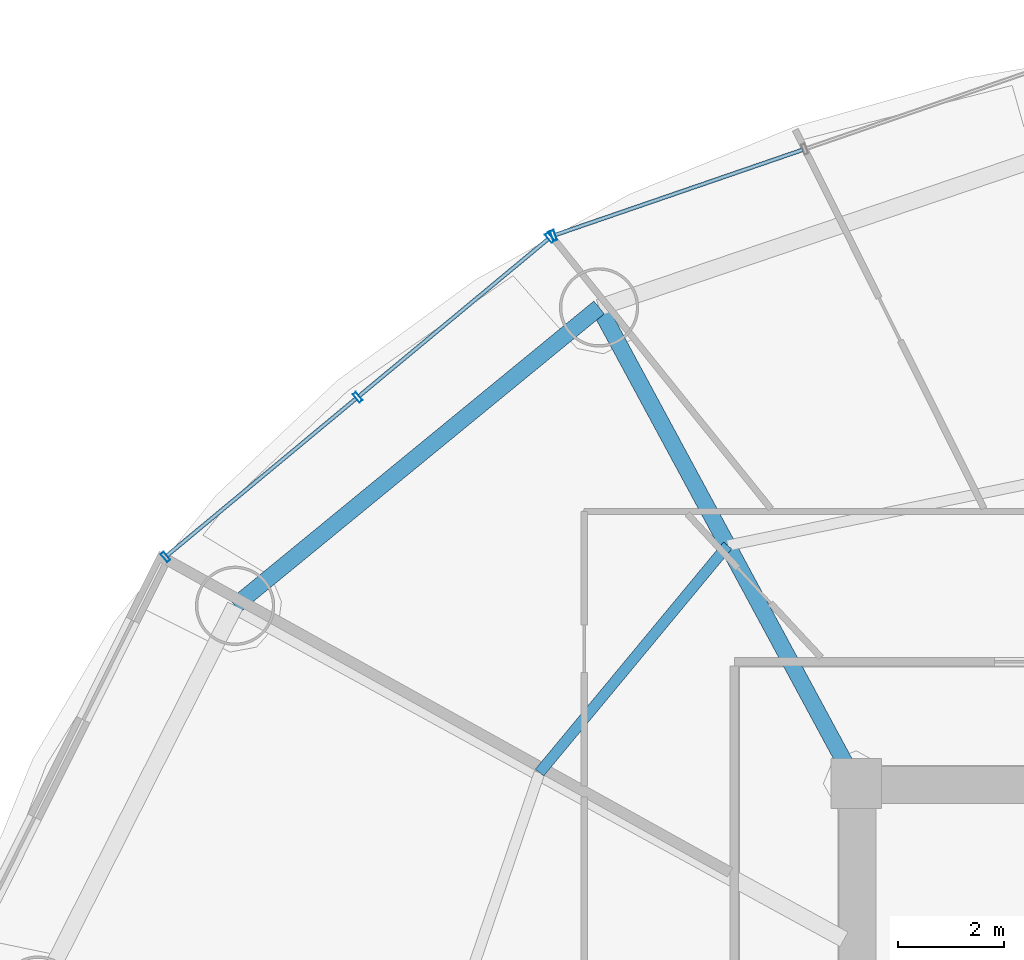
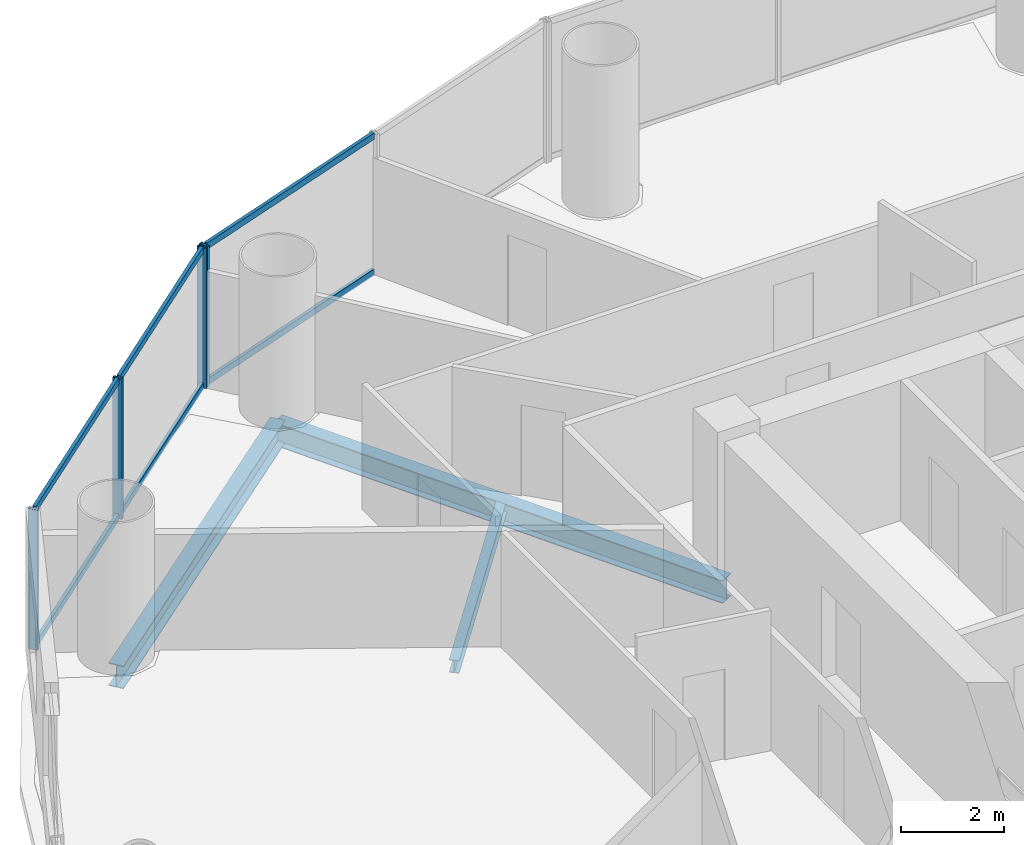
# One storey, part 15 of 28: 10 members, 3 beams, 2 elements without a shape of their own.
"""IFC4 building model written with IfcOpenShell, lengths in metres."""

from ifc_helpers import new_model, si_unit, direction, frame, origin, origin_2d, place, context, subcontext, project, spatial, hollow_rectangle, i_section, extrude, source, transform, mapped, material, material_profile, profile_set, type_object, element, aggregate, save


model = new_model("IFC4")

# Units and contexts
model_context = context("Model", 3, precision=1e-05, world=origin(), true_north=direction((-0.2419218956, 0.970295726276)))
body_context = subcontext(model_context, "Body", "Model", "MODEL_VIEW")
ifc_project = project(units=[si_unit("LENGTHUNIT", "METRE"), si_unit("AREAUNIT", "SQUARE_METRE"), si_unit("VOLUMEUNIT", "CUBIC_METRE"), si_unit("PLANEANGLEUNIT", "RADIAN"), si_unit("MASSUNIT", "GRAM", prefix="KILO")], contexts=[model_context])

# Site, building, storey
site_placement = place(None, origin())
site = spatial("IfcSite", under=ifc_project, at=site_placement, CompositionType="ELEMENT")
building_placement = place(site_placement, origin())
building = spatial("IfcBuilding", under=site, at=building_placement, Name="Cobrevalo Terracotta Tower", CompositionType="ELEMENT")
storey_placement = place(building_placement, frame((0.0, 0.0, 105.0)))
storey = spatial("IfcBuildingStorey", under=building, at=storey_placement, Name="L27", CompositionType="ELEMENT", Elevation=105.0)

# Beams
ifc_material_1 = material(Name="Steel S355", Category="steel")
ifc_material_profile_1 = material_profile(ifc_material_1, i_section(OverallWidth=0.31201171875, OverallDepth=0.54296875, WebThickness=0.0126953125, FlangeThickness=0.020263671875, at=origin_2d()), Name="W 530x150")
ifc_profile_set_1 = profile_set([ifc_material_profile_1], Name="Steel S355")
beam_type_1 = type_object("IfcBeamType", Name="Structural Beam W 530x150 (Steel S355)", PredefinedType="BEAM", material=ifc_profile_set_1)
beam_1_placement = place(storey_placement, frame((24.138427734375, 43.803466796875, -0.54638671875), z_axis=(0.475128224431, -0.879916570107, 0.0), x_axis=(0.879916570107, 0.475128224431, 0.0)))
element("IfcBeam", 1, at=beam_1_placement, inside=storey, type_object=beam_type_1, Name="L27 radial floor girder 06", PredefinedType="BEAM", context=body_context, shape_type="SweptSolid", body=[
    extrude(i_section(OverallWidth=0.31201171875, OverallDepth=0.54296875, WebThickness=0.0126953125, FlangeThickness=0.020263671875, at=origin_2d()), origin(), (0.0, 0.0, 1.0), 10.232177734375),
])
ifc_material_profile_2 = material_profile(ifc_material_1, i_section(OverallWidth=0.2041015625, OverallDepth=0.305908203125, WebThickness=0.008544921875, FlangeThickness=0.0146484375, at=origin_2d()), Name="W 310x67")
ifc_profile_set_2 = profile_set([ifc_material_profile_2], Name="Steel S355")
beam_type_2 = type_object("IfcBeamType", Name="Structural Joist W 310x67 (Steel S355)", PredefinedType="JOIST", material=ifc_profile_set_2)
beam_2_placement = place(storey_placement, frame((26.5693359375, 39.3017578125, -0.427978515625), z_axis=(-0.6379592588, -0.77007011636, 0.0), x_axis=(0.77007011636, -0.6379592588, 0.0)))
element("IfcBeam", 2, at=beam_2_placement, inside=storey, type_object=beam_type_2, Name="L27 circumferential secondary floor joist 06", PredefinedType="JOIST", context=body_context, shape_type="SweptSolid", body=[
    extrude(i_section(OverallWidth=0.2041015625, OverallDepth=0.305908203125, WebThickness=0.008544921875, FlangeThickness=0.0146484375, at=origin_2d()), origin(), (0.0, 0.0, 1.0), 5.575439453125),
])
ifc_material_profile_3 = material_profile(ifc_material_1, i_section(OverallWidth=0.31201171875, OverallDepth=0.54296875, WebThickness=0.0126953125, FlangeThickness=0.020263671875, at=origin_2d()), Name="W 530x150")
ifc_profile_set_3 = profile_set([ifc_material_profile_3], Name="Steel S355")
beam_type_3 = type_object("IfcBeamType", Name="Structural Spandrel W 530x150 (Steel S355)", PredefinedType="SPANDREL", material=ifc_profile_set_3)
beam_3_placement = place(storey_placement, frame((24.138427734375, 43.803466796875, -0.54638671875), z_axis=(-0.773400923541, -0.633917196064, 0.0), x_axis=(0.633917196064, -0.773400923541, 0.0)))
element("IfcBeam", 3, at=beam_3_placement, inside=storey, type_object=beam_type_3, Name="L27 perimeter ring spandrel 06", PredefinedType="SPANDREL", context=body_context, shape_type="SweptSolid", body=[
    extrude(i_section(OverallWidth=0.31201171875, OverallDepth=0.54296875, WebThickness=0.0126953125, FlangeThickness=0.020263671875, at=origin_2d()), origin(), (0.0, 0.0, 1.0), 8.900390625),
])

# Curtain wall, member
ifc_material_2 = material(Name="Anodized aluminium", Category="aluminium")
curtain_wall_type = type_object("IfcCurtainWallType", Name="Lower-tower unitised acoustic low-E curtain wall CW-U1", PredefinedType="NOTDEFINED", material=ifc_material_2)
curtain_wall_1_placement = place(storey_placement, origin())
curtain_wall_1 = element("IfcCurtainWall", 4, at=curtain_wall_1_placement, inside=storey, type_object=curtain_wall_type, Name="L27 curtain wall CW-L27-S05", PredefinedType="NOTDEFINED")
ifc_material_profile_4 = material_profile(ifc_material_2, hollow_rectangle(XDim=0.074951171875, YDim=0.199951171875, WallThickness=0.0048828125, at=origin_2d()), Name="CWM 75x200")
ifc_profile_set_4 = profile_set([ifc_material_profile_4], Name="Anodized aluminium")
member_type_1 = type_object("IfcMemberType", Name="Lower/mid tower unitised mullion 75x200", PredefinedType="MULLION", material=ifc_profile_set_4)
shared_shape_1 = source(origin(), body_context, "Body", "SweptSolid", [
    extrude(hollow_rectangle(XDim=0.074951171875, YDim=0.199951171875, WallThickness=0.0048828125, at=origin_2d()), origin(), (0.0, 0.0, 1.0), 3.324951171875),
])
member_1_placement = place(storey_placement, frame((23.2763671875, 45.16357421875, 0.0), z_axis=(0.0, 0.0, 1.0), x_axis=(-0.94559809868, -0.325337110968, 0.0)))
member_1 = element("IfcMember", 5, at=member_1_placement, type_object=member_type_1, Name="CW-L27-S05 vertical mullion 03", PredefinedType="MULLION", context=body_context, shape_type="MappedRepresentation", body=[
    mapped(shared_shape_1, transform((0.0, 0.0, 0.0), scale=1.0)),
])

# Curtain wall, members
curtain_wall_2_placement = place(storey_placement, origin())
curtain_wall_2 = element("IfcCurtainWall", 6, at=curtain_wall_2_placement, inside=storey, type_object=curtain_wall_type, Name="L27 curtain wall CW-L27-S06", PredefinedType="NOTDEFINED")
member_2_placement = place(storey_placement, frame((23.207763671875, 45.125, 0.0), z_axis=(0.0, 0.0, 1.0), x_axis=(-0.769243451658, -0.638955798222, 0.0)))
member_2 = element("IfcMember", 7, at=member_2_placement, type_object=member_type_1, Name="CW-L27-S06 vertical mullion 01", PredefinedType="MULLION", context=body_context, shape_type="MappedRepresentation", body=[
    mapped(shared_shape_1, transform((0.0, 0.0, 0.0), scale=1.0)),
])
member_3_placement = place(storey_placement, frame((19.5732421875, 42.10595703125, 0.0), z_axis=(0.0, 0.0, 1.0), x_axis=(-0.769243451658, -0.638955798222, 0.0)))
member_3 = element("IfcMember", 8, at=member_3_placement, type_object=member_type_1, Name="CW-L27-S06 vertical mullion 02", PredefinedType="MULLION", context=body_context, shape_type="MappedRepresentation", body=[
    mapped(shared_shape_1, transform((0.0, 0.0, 0.0), scale=1.0)),
])
member_4_placement = place(storey_placement, frame((15.938720703125, 39.0869140625, 0.0), z_axis=(0.0, 0.0, 1.0), x_axis=(-0.769243451658, -0.638955798222, 0.0)))
member_4 = element("IfcMember", 9, at=member_4_placement, type_object=member_type_1, Name="CW-L27-S06 vertical mullion 03", PredefinedType="MULLION", context=body_context, shape_type="MappedRepresentation", body=[
    mapped(shared_shape_1, transform((0.0, 0.0, 0.0), scale=1.0)),
])

# Member
ifc_material_profile_5 = material_profile(ifc_material_2, hollow_rectangle(XDim=0.074951171875, YDim=0.14990234375, WallThickness=0.00439453125, at=origin_2d()), Name="CWT 75x150")
ifc_profile_set_5 = profile_set([ifc_material_profile_5], Name="Anodized aluminium")
member_type_2 = type_object("IfcMemberType", Name="Tower unitised aluminium transom 75x150", PredefinedType="USERDEFINED", material=ifc_profile_set_5)
shared_shape_2 = source(origin(), body_context, "Body", "SweptSolid", [
    extrude(hollow_rectangle(XDim=0.074951171875, YDim=0.14990234375, WallThickness=0.00439453125, at=origin_2d()), origin(), (0.0, 0.0, 1.0), 4.944580078125),
])
member_5_placement = place(storey_placement, frame((27.98974609375, 46.78515625, 0.050048828125), z_axis=(-0.945597859971, -0.32533780478, 0.0), x_axis=(0.32533780478, -0.945597859971, 0.0)))
member_5 = element("IfcMember", 10, at=member_5_placement, type_object=member_type_2, Name="CW-L27-S05 transom B02-T1", ObjectType="TRANSOM", PredefinedType="USERDEFINED", context=body_context, shape_type="MappedRepresentation", body=[
    mapped(shared_shape_2, transform((0.0, 0.0, 0.0), scale=1.0)),
])

member_6_placement = place(storey_placement, frame((27.98974609375, 46.78515625, 3.27490234375), z_axis=(-0.945597859971, -0.32533780478, 0.0), x_axis=(0.32533780478, -0.945597859971, 0.0)))
member_6 = element("IfcMember", 11, at=member_6_placement, type_object=member_type_2, Name="CW-L27-S05 transom B02-T2", ObjectType="TRANSOM", PredefinedType="USERDEFINED", context=body_context, shape_type="MappedRepresentation", body=[
    mapped(shared_shape_2, transform((0.0, 0.0, 0.0), scale=1.0)),
])

aggregate(curtain_wall_1, [member_1, member_5, member_6])

shared_shape_3 = source(origin(), body_context, "Body", "SweptSolid", [
    extrude(hollow_rectangle(XDim=0.074951171875, YDim=0.14990234375, WallThickness=0.00439453125, at=origin_2d()), origin(), (0.0, 0.0, 1.0), 4.644775390625),
])
member_7_placement = place(storey_placement, frame((23.177001953125, 45.099365234375, 0.050048828125), z_axis=(-0.76924999091, -0.638947925487, 0.0), x_axis=(0.638947925487, -0.76924999091, 0.0)))
member_7 = element("IfcMember", 12, at=member_7_placement, type_object=member_type_2, Name="CW-L27-S06 transom B01-T1", ObjectType="TRANSOM", PredefinedType="USERDEFINED", context=body_context, shape_type="MappedRepresentation", body=[
    mapped(shared_shape_3, transform((0.0, 0.0, 0.0), scale=1.0)),
])

member_8_placement = place(storey_placement, frame((23.177001953125, 45.099365234375, 3.27490234375), z_axis=(-0.76924999091, -0.638947925487, 0.0), x_axis=(0.638947925487, -0.76924999091, 0.0)))
member_8 = element("IfcMember", 13, at=member_8_placement, type_object=member_type_2, Name="CW-L27-S06 transom B01-T2", ObjectType="TRANSOM", PredefinedType="USERDEFINED", context=body_context, shape_type="MappedRepresentation", body=[
    mapped(shared_shape_3, transform((0.0, 0.0, 0.0), scale=1.0)),
])

member_9_placement = place(storey_placement, frame((19.54248046875, 42.080322265625, 0.050048828125), z_axis=(-0.76924999091, -0.638947925487, 0.0), x_axis=(0.638947925487, -0.76924999091, 0.0)))
member_9 = element("IfcMember", 14, at=member_9_placement, type_object=member_type_2, Name="CW-L27-S06 transom B02-T1", ObjectType="TRANSOM", PredefinedType="USERDEFINED", context=body_context, shape_type="MappedRepresentation", body=[
    mapped(shared_shape_3, transform((0.0, 0.0, 0.0), scale=1.0)),
])

member_10_placement = place(storey_placement, frame((19.54248046875, 42.080322265625, 3.27490234375), z_axis=(-0.76924999091, -0.638947925487, 0.0), x_axis=(0.638947925487, -0.76924999091, 0.0)))
member_10 = element("IfcMember", 15, at=member_10_placement, type_object=member_type_2, Name="CW-L27-S06 transom B02-T2", ObjectType="TRANSOM", PredefinedType="USERDEFINED", context=body_context, shape_type="MappedRepresentation", body=[
    mapped(shared_shape_3, transform((0.0, 0.0, 0.0), scale=1.0)),
])

aggregate(curtain_wall_2, [member_2, member_3, member_4, member_7, member_8, member_9, member_10])

save(model, "model.ifc")
